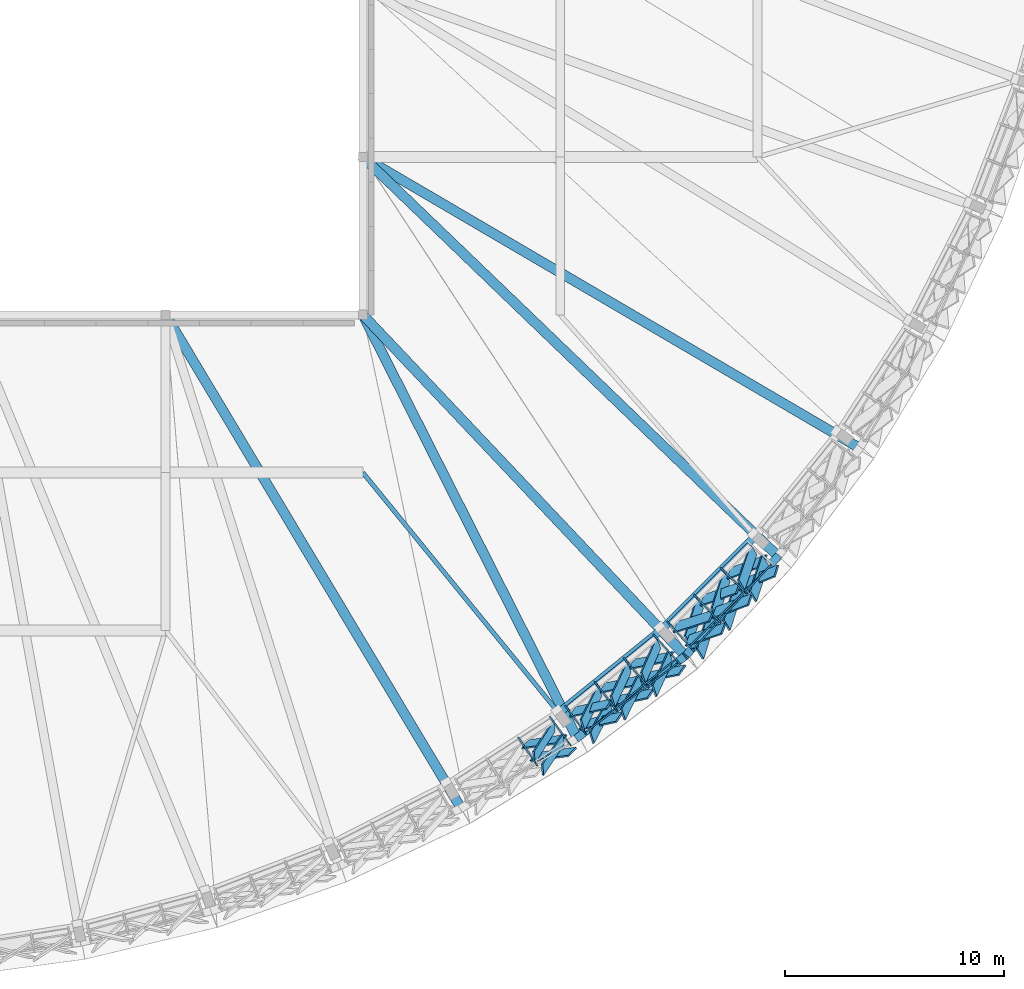
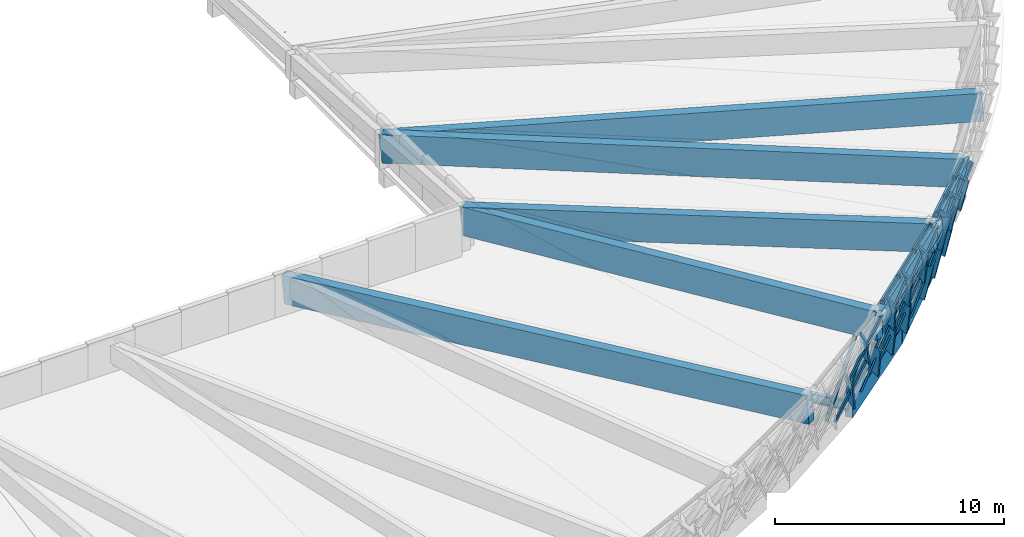
# One storey, part 5 of 11: 45 members, 10 beams, 3 elements without a shape of their own.
"""IFC4 building model written with IfcOpenShell, lengths in metres."""

from ifc_helpers import new_model, si_unit, direction, frame, origin, origin_2d, place, context, subcontext, project, spatial, rectangle, hollow_rectangle, i_section, extrude, material, material_profile, profile_set, type_object, element, aggregate, save


model = new_model("IFC4")

# Units and contexts
model_context = context("Model", 3, precision=1e-05, world=origin(), true_north=direction((0.0, 1.0)))
body_context = subcontext(model_context, "Body", "Model", "MODEL_VIEW")
ifc_project = project(units=[si_unit("LENGTHUNIT", "METRE"), si_unit("AREAUNIT", "SQUARE_METRE"), si_unit("VOLUMEUNIT", "CUBIC_METRE"), si_unit("PLANEANGLEUNIT", "RADIAN"), si_unit("MASSUNIT", "GRAM", prefix="KILO")], contexts=[model_context])

# Site, building, storey
site_placement = place(None, origin())
site = spatial("IfcSite", under=ifc_project, at=site_placement, CompositionType="ELEMENT")
building_placement = place(site_placement, origin())
building = spatial("IfcBuilding", under=site, at=building_placement, Name="Chiffa Square Polytechnic", CompositionType="ELEMENT")
storey_placement = place(building_placement, frame((0.0, 0.0, 30.60009765625)))
storey = spatial("IfcBuildingStorey", under=building, at=storey_placement, Name="ROOF", CompositionType="ELEMENT", Elevation=30.60009765625)

# Beam
ifc_material_1 = material(Name="Steel S355", Category="steel")
ifc_material_profile_1 = material_profile(ifc_material_1, i_section(OverallWidth=0.199951171875, OverallDepth=0.5, WebThickness=0.01025390625, FlangeThickness=0.01611328125, FilletRadius=0.02099609375, at=origin_2d()), Name="IPE 500")
ifc_profile_set_1 = profile_set([ifc_material_profile_1], Name="Steel S355")
beam_type_1 = type_object("IfcBeamType", Name="BM-STL-IPE500", PredefinedType="BEAM", material=ifc_profile_set_1)
beam_1_placement = place(storey_placement, frame((157.133056640625, 10.64501953125, -1.22998046875), z_axis=(-0.631959701082, 0.775001249165, 0.0), x_axis=(-0.775001249165, -0.631959701082, 0.0)))
element("IfcBeam", 1, at=beam_1_placement, inside=storey, type_object=beam_type_1, Name="Prow attic radial tie girder BM-V1-RAD-ROOF-09", PredefinedType="BEAM", context=body_context, shape_type="SweptSolid", body=[
    extrude(i_section(OverallWidth=0.199951171875, OverallDepth=0.5, WebThickness=0.01025390625, FlangeThickness=0.01611328125, FilletRadius=0.02099609375, at=origin_2d()), origin(), (0.0, 0.0, 1.0), 14.135498046875),
])

# Curtain wall, members
ifc_material_2 = material(Name="Aluminium EN AW-6060 T66 and glulam shading", Category="wood")
curtain_wall_type_1 = type_object("IfcCurtainWallType", Name="CW-PROW-LEAN-300", PredefinedType="USERDEFINED", material=ifc_material_2)
curtain_wall_1_placement = place(storey_placement, origin())
curtain_wall_1 = element("IfcCurtainWall", 2, at=curtain_wall_1_placement, inside=storey, type_object=curtain_wall_type_1, Name="Outward-leaning diamond-fin prow curtain wall CW-V1-ROOF-117", ObjectType="CURTAIN WALL", PredefinedType="USERDEFINED")
ifc_material_3 = material(Name="Aluminium EN AW-6060 T66", Category="aluminium")
ifc_material_profile_2 = material_profile(ifc_material_3, hollow_rectangle(XDim=0.06494140625, YDim=0.179931640625, WallThickness=0.00390625, at=origin_2d()), Name="ALU 65x180x4")
ifc_profile_set_2 = profile_set([ifc_material_profile_2], Name="Aluminium EN AW-6060 T66")
member_type_1 = type_object("IfcMemberType", Name="CWM-ALU-75X180", PredefinedType="MULLION", material=ifc_profile_set_2)
member_1_placement = place(storey_placement, frame((155.3232421875, 9.469970703125, -0.75), z_axis=(0.152187498853, -0.225447216644, 0.962295442003), x_axis=(0.828830555606, 0.559499696242, 0.0)))
member_1 = element("IfcMember", 3, at=member_1_placement, type_object=member_type_1, Name="Leaning prow mullion CW-V1-ROOF-117-M02", PredefinedType="MULLION", context=body_context, shape_type="SweptSolid", body=[
    extrude(hollow_rectangle(XDim=0.06494140625, YDim=0.179931640625, WallThickness=0.00390625, at=origin_2d()), origin(), (0.0, 0.0, 1.0), 5.168701171875),
])
member_2_placement = place(storey_placement, frame((156.77197265625, 10.410888671875, -0.75), z_axis=(0.160133861467, -0.220274428514, 0.962203888245), x_axis=(0.808850866306, 0.588013840038, 0.0)))
member_2 = element("IfcMember", 4, at=member_2_placement, type_object=member_type_1, Name="Leaning prow mullion CW-V1-ROOF-117-M03", PredefinedType="MULLION", context=body_context, shape_type="SweptSolid", body=[
    extrude(hollow_rectangle(XDim=0.06494140625, YDim=0.179931640625, WallThickness=0.00390625, at=origin_2d()), origin(), (0.0, 0.0, 1.0), 5.403076171875),
])

curtain_wall_type_2 = type_object("IfcCurtainWallType", Name="CW-PROW-LEAN-150", PredefinedType="USERDEFINED", material=ifc_material_2)
curtain_wall_2_placement = place(storey_placement, origin())
curtain_wall_2 = element("IfcCurtainWall", 5, at=curtain_wall_2_placement, inside=storey, type_object=curtain_wall_type_2, Name="Outward-leaning diamond-fin prow curtain wall CW-V1-ROOF-118", ObjectType="CURTAIN WALL", PredefinedType="USERDEFINED")
member_3_placement = place(storey_placement, frame((157.467041015625, 10.916015625, -0.75), z_axis=(0.15995775047, -0.220280800435, 0.962231722105), x_axis=(0.809166525791, 0.587579384882, 0.0)))
member_3 = element("IfcMember", 6, at=member_3_placement, type_object=member_type_1, Name="Leaning prow mullion CW-V1-ROOF-118-M00", PredefinedType="MULLION", context=body_context, shape_type="SweptSolid", body=[
    extrude(hollow_rectangle(XDim=0.06494140625, YDim=0.179931640625, WallThickness=0.00390625, at=origin_2d()), origin(), (0.0, 0.0, 1.0), 5.403076171875),
])
member_4_placement = place(storey_placement, frame((158.809814453125, 12.0029296875, -0.75), z_axis=(0.167363376659, -0.214273545524, 0.962328606995), x_axis=(0.788091871966, 0.615557634459, 0.0)))
member_4 = element("IfcMember", 7, at=member_4_placement, type_object=member_type_1, Name="Leaning prow mullion CW-V1-ROOF-118-M01", PredefinedType="MULLION", context=body_context, shape_type="SweptSolid", body=[
    extrude(hollow_rectangle(XDim=0.06494140625, YDim=0.179931640625, WallThickness=0.00390625, at=origin_2d()), origin(), (0.0, 0.0, 1.0), 5.646728515625),
])
member_5_placement = place(storey_placement, frame((160.15234375, 13.090087890625, -0.75), z_axis=(0.174746004879, -0.20831116114, 0.962325461538), x_axis=(0.766131025313, 0.64268441093, 0.0)))
member_5 = element("IfcMember", 8, at=member_5_placement, type_object=member_type_1, Name="Leaning prow mullion CW-V1-ROOF-118-M02", PredefinedType="MULLION", context=body_context, shape_type="SweptSolid", body=[
    extrude(hollow_rectangle(XDim=0.06494140625, YDim=0.179931640625, WallThickness=0.00390625, at=origin_2d()), origin(), (0.0, 0.0, 1.0), 5.8916015625),
])
member_6_placement = place(storey_placement, frame((161.4951171875, 14.177001953125, -0.75), z_axis=(0.182136533588, -0.202267832407, 0.962244255429), x_axis=(0.743119688078, 0.669158523214, 0.0)))
member_6 = element("IfcMember", 9, at=member_6_placement, type_object=member_type_1, Name="Leaning prow mullion CW-V1-ROOF-118-M03", PredefinedType="MULLION", context=body_context, shape_type="SweptSolid", body=[
    extrude(hollow_rectangle(XDim=0.06494140625, YDim=0.179931640625, WallThickness=0.00390625, at=origin_2d()), origin(), (0.0, 0.0, 1.0), 6.136474609375),
])

curtain_wall_3_placement = place(storey_placement, origin())
curtain_wall_3 = element("IfcCurtainWall", 10, at=curtain_wall_3_placement, inside=storey, type_object=curtain_wall_type_1, Name="Outward-leaning diamond-fin prow curtain wall CW-V1-ROOF-119", ObjectType="CURTAIN WALL", PredefinedType="USERDEFINED")
member_7_placement = place(storey_placement, frame((162.133056640625, 14.751953125, -0.75), z_axis=(0.182174998523, -0.202266366563, 0.962237282), x_axis=(0.743047006438, 0.669239229441, 0.0)))
member_7 = element("IfcMember", 11, at=member_7_placement, type_object=member_type_1, Name="Leaning prow mullion CW-V1-ROOF-119-M00", PredefinedType="MULLION", context=body_context, shape_type="SweptSolid", body=[
    extrude(hollow_rectangle(XDim=0.06494140625, YDim=0.179931640625, WallThickness=0.00390625, at=origin_2d()), origin(), (0.0, 0.0, 1.0), 6.136474609375),
])
member_8_placement = place(storey_placement, frame((163.354736328125, 15.9736328125, -0.75), z_axis=(0.188882981103, -0.195588639307, 0.962324427427), x_axis=(0.719330193088, 0.694668318921, 0.0)))
member_8 = element("IfcMember", 12, at=member_8_placement, type_object=member_type_1, Name="Leaning prow mullion CW-V1-ROOF-119-M01", PredefinedType="MULLION", context=body_context, shape_type="SweptSolid", body=[
    extrude(hollow_rectangle(XDim=0.06494140625, YDim=0.179931640625, WallThickness=0.00390625, at=origin_2d()), origin(), (0.0, 0.0, 1.0), 5.86181640625),
])
member_9_placement = place(storey_placement, frame((164.576416015625, 17.1953125, -0.75), z_axis=(0.195576125123, -0.18889088224, 0.962325419953), x_axis=(0.694706352545, 0.719293461484, 0.0)))
member_9 = element("IfcMember", 13, at=member_9_placement, type_object=member_type_1, Name="Leaning prow mullion CW-V1-ROOF-119-M02", PredefinedType="MULLION", context=body_context, shape_type="SweptSolid", body=[
    extrude(hollow_rectangle(XDim=0.06494140625, YDim=0.179931640625, WallThickness=0.00390625, at=origin_2d()), origin(), (0.0, 0.0, 1.0), 5.58740234375),
])

# Member
ifc_material_4 = material(Name="Glulam GL28h", Category="wood")
ifc_material_profile_3 = material_profile(ifc_material_4, rectangle(XDim=0.080078125, YDim=0.580078125, at=origin_2d()), Name="GL28h 80x580")
ifc_profile_set_3 = profile_set([ifc_material_profile_3], Name="Glulam GL28h")
member_type_2 = type_object("IfcMemberType", Name="CWM-GL-80X580", PredefinedType="MULLION", material=ifc_profile_set_3)
member_10_placement = place(storey_placement, frame((155.614013671875, 9.197998046875, -0.710205078125), z_axis=(0.555255434836, 0.08167383249, 0.827659825757), x_axis=(-0.568025816265, 0.764142564889, 0.305667814108)))
member_10 = element("IfcMember", 14, at=member_10_placement, type_object=member_type_2, Name="Diamond glulam fin CW-V1-ROOF-117-DF05A", PredefinedType="MULLION", context=body_context, shape_type="SweptSolid", body=[
    extrude(rectangle(XDim=0.080078125, YDim=0.580078125, at=origin_2d()), origin(), (0.0, 0.0, 1.0), 3.0849609375),
])

member_11_placement = place(storey_placement, frame((156.903076171875, 10.035888671875, -0.710205078125), z_axis=(-0.303070186337, -0.47536069639, 0.825942292465), x_axis=(0.949001880075, -0.071555226577, 0.307042800213)))
member_11 = element("IfcMember", 15, at=member_11_placement, type_object=member_type_2, Name="Diamond glulam fin CW-V1-ROOF-117-DF05B", PredefinedType="MULLION", context=body_context, shape_type="SweptSolid", body=[
    extrude(rectangle(XDim=0.080078125, YDim=0.580078125, at=origin_2d()), origin(), (0.0, 0.0, 1.0), 2.969970703125),
])

member_12_placement = place(storey_placement, frame((156.0029296875, 8.6240234375, 1.742919921875), z_axis=(0.548472387015, 0.075606458936, 0.83274348034), x_axis=(-0.563822859149, 0.768878933422, 0.30154430726)))
member_12 = element("IfcMember", 16, at=member_12_placement, type_object=member_type_2, Name="Diamond glulam fin CW-V1-ROOF-117-DF06A", PredefinedType="MULLION", context=body_context, shape_type="SweptSolid", body=[
    extrude(rectangle(XDim=0.080078125, YDim=0.580078125, at=origin_2d()), origin(), (0.0, 0.0, 1.0), 3.18701171875),
])

member_13_placement = place(storey_placement, frame((157.326904296875, 9.449951171875, 1.843017578125), z_axis=(-0.323134713434, -0.483900351744, 0.813280029606), x_axis=(0.943443094571, -0.097380083884, 0.316910470906)))
member_13 = element("IfcMember", 17, at=member_13_placement, type_object=member_type_2, Name="Diamond glulam fin CW-V1-ROOF-117-DF06B", PredefinedType="MULLION", context=body_context, shape_type="SweptSolid", body=[
    extrude(rectangle(XDim=0.080078125, YDim=0.580078125, at=origin_2d()), origin(), (0.0, 0.0, 1.0), 2.89306640625),
])

aggregate(curtain_wall_1, [member_1, member_2, member_10, member_11, member_12, member_13])

member_14_placement = place(storey_placement, frame((157.782958984375, 10.675048828125, -0.710205078125), z_axis=(0.523933731153, 0.117509198863, 0.843614268219), x_axis=(-0.688109415649, 0.642121464327, 0.337913387049)))
member_14 = element("IfcMember", 18, at=member_14_placement, type_object=member_type_2, Name="Diamond glulam fin CW-V1-ROOF-118-DF01A", PredefinedType="MULLION", context=body_context, shape_type="SweptSolid", body=[
    extrude(rectangle(XDim=0.080078125, YDim=0.580078125, at=origin_2d()), origin(), (0.0, 0.0, 1.0), 3.166259765625),
])

member_15_placement = place(storey_placement, frame((158.97900390625, 11.64306640625, -0.710205078125), z_axis=(-0.24802299603, -0.501801134689, 0.828661700976), x_axis=(0.927763084008, 0.123155147895, 0.352261933083)))
member_15 = element("IfcMember", 19, at=member_15_placement, type_object=member_type_2, Name="Diamond glulam fin CW-V1-ROOF-118-DF01B", PredefinedType="MULLION", context=body_context, shape_type="SweptSolid", body=[
    extrude(rectangle(XDim=0.080078125, YDim=0.580078125, at=origin_2d()), origin(), (0.0, 0.0, 1.0), 3.0966796875),
])

member_16_placement = place(storey_placement, frame((158.2109375, 10.089111328125, 1.85595703125), z_axis=(0.517859076913, 0.110900502708, 0.848247048305), x_axis=(-0.684721431071, 0.648132168042, 0.33328854553)))
member_16 = element("IfcMember", 20, at=member_16_placement, type_object=member_type_2, Name="Diamond glulam fin CW-V1-ROOF-118-DF02A", PredefinedType="MULLION", context=body_context, shape_type="SweptSolid", body=[
    extrude(rectangle(XDim=0.080078125, YDim=0.580078125, at=origin_2d()), origin(), (0.0, 0.0, 1.0), 3.271240234375),
])

member_17_placement = place(storey_placement, frame((159.44189453125, 11.047119140625, 1.9609375), z_axis=(-0.266352759841, -0.512540777451, 0.816307637337), x_axis=(0.926477449366, 0.097481459115, 0.363506397391)))
member_17 = element("IfcMember", 21, at=member_17_placement, type_object=member_type_2, Name="Diamond glulam fin CW-V1-ROOF-118-DF02B", PredefinedType="MULLION", context=body_context, shape_type="SweptSolid", body=[
    extrude(rectangle(XDim=0.080078125, YDim=0.580078125, at=origin_2d()), origin(), (0.0, 0.0, 1.0), 3.0146484375),
])

member_18_placement = place(storey_placement, frame((159.1259765625, 11.761962890625, -0.710205078125), z_axis=(0.517597770231, 0.110770528981, 0.848423501656), x_axis=(-0.684741392709, 0.648202545118, 0.333110620686)))
member_18 = element("IfcMember", 22, at=member_18_placement, type_object=member_type_2, Name="Diamond glulam fin CW-V1-ROOF-118-DF03A", PredefinedType="MULLION", context=body_context, shape_type="SweptSolid", body=[
    extrude(rectangle(XDim=0.080078125, YDim=0.580078125, at=origin_2d()), origin(), (0.0, 0.0, 1.0), 3.2861328125),
])

member_19_placement = place(storey_placement, frame((160.322021484375, 12.72998046875, -0.710205078125), z_axis=(-0.228174585804, -0.490169817794, 0.841231185892), x_axis=(0.927968692453, 0.151981846701, 0.340258172718)))
member_19 = element("IfcMember", 23, at=member_19_placement, type_object=member_type_2, Name="Diamond glulam fin CW-V1-ROOF-118-DF03B", PredefinedType="MULLION", context=body_context, shape_type="SweptSolid", body=[
    extrude(rectangle(XDim=0.080078125, YDim=0.580078125, at=origin_2d()), origin(), (0.0, 0.0, 1.0), 3.190673828125),
])

member_20_placement = place(storey_placement, frame((159.593994140625, 11.166015625, 1.973876953125), z_axis=(0.512149291431, 0.104602482054, 0.852503034619), x_axis=(-0.681161394127, 0.654067744451, 0.328959786022)))
member_20 = element("IfcMember", 24, at=member_20_placement, type_object=member_type_2, Name="Diamond glulam fin CW-V1-ROOF-118-DF04A", PredefinedType="MULLION", context=body_context, shape_type="SweptSolid", body=[
    extrude(rectangle(XDim=0.080078125, YDim=0.580078125, at=origin_2d()), origin(), (0.0, 0.0, 1.0), 3.3935546875),
])

member_21_placement = place(storey_placement, frame((160.826904296875, 12.1259765625, 2.077880859375), z_axis=(-0.246091036858, -0.500900907132, 0.829781587415), x_axis=(0.927777035504, 0.126003424895, 0.35121632836)))
member_21 = element("IfcMember", 25, at=member_21_placement, type_object=member_type_2, Name="Diamond glulam fin CW-V1-ROOF-118-DF04B", PredefinedType="MULLION", context=body_context, shape_type="SweptSolid", body=[
    extrude(rectangle(XDim=0.080078125, YDim=0.580078125, at=origin_2d()), origin(), (0.0, 0.0, 1.0), 3.108154296875),
])

member_22_placement = place(storey_placement, frame((160.468994140625, 12.85009765625, -0.710205078125), z_axis=(0.512008798814, 0.104436042064, 0.852607824885), x_axis=(-0.68105706151, 0.654230466219, 0.328852210025)))
member_22 = element("IfcMember", 26, at=member_22_placement, type_object=member_type_2, Name="Diamond glulam fin CW-V1-ROOF-118-DF05A", PredefinedType="MULLION", context=body_context, shape_type="SweptSolid", body=[
    extrude(rectangle(XDim=0.080078125, YDim=0.580078125, at=origin_2d()), origin(), (0.0, 0.0, 1.0), 3.408447265625),
])

member_23_placement = place(storey_placement, frame((161.6650390625, 13.81689453125, -0.710205078125), z_axis=(-0.208843688433, -0.47885405145, 0.852691685905), x_axis=(0.926866369447, 0.181194908024, 0.328766084768)))
member_23 = element("IfcMember", 27, at=member_23_placement, type_object=member_type_2, Name="Diamond glulam fin CW-V1-ROOF-118-DF05B", PredefinedType="MULLION", context=body_context, shape_type="SweptSolid", body=[
    extrude(rectangle(XDim=0.080078125, YDim=0.580078125, at=origin_2d()), origin(), (0.0, 0.0, 1.0), 3.284912109375),
])

member_24_placement = place(storey_placement, frame((160.97900390625, 12.243896484375, 2.0908203125), z_axis=(0.506990146968, 0.099551399528, 0.856183689245), x_axis=(-0.678456716642, 0.658766042272, 0.325151941702)))
member_24 = element("IfcMember", 28, at=member_24_placement, type_object=member_type_2, Name="Diamond glulam fin CW-V1-ROOF-118-DF06A", PredefinedType="MULLION", context=body_context, shape_type="SweptSolid", body=[
    extrude(rectangle(XDim=0.080078125, YDim=0.580078125, at=origin_2d()), origin(), (0.0, 0.0, 1.0), 3.516845703125),
])

member_25_placement = place(storey_placement, frame((162.214111328125, 13.2060546875, 2.19580078125), z_axis=(-0.226420447533, -0.489357862866, 0.842177334645), x_axis=(0.927864580066, 0.15466899565, 0.339329961607)))
member_25 = element("IfcMember", 29, at=member_25_placement, type_object=member_type_2, Name="Diamond glulam fin CW-V1-ROOF-118-DF06B", PredefinedType="MULLION", context=body_context, shape_type="SweptSolid", body=[
    extrude(rectangle(XDim=0.080078125, YDim=0.580078125, at=origin_2d()), origin(), (0.0, 0.0, 1.0), 3.202392578125),
])

member_26_placement = place(storey_placement, frame((162.472900390625, 14.5458984375, -0.710205078125), z_axis=(0.499214188597, 0.158871391261, 0.851789337185), x_axis=(-0.788377554049, 0.491155138162, 0.370442252624)))
member_26 = element("IfcMember", 30, at=member_26_placement, type_object=member_type_2, Name="Diamond glulam fin CW-V1-ROOF-119-DF01A", PredefinedType="MULLION", context=body_context, shape_type="SweptSolid", body=[
    extrude(rectangle(XDim=0.080078125, YDim=0.580078125, at=origin_2d()), origin(), (0.0, 0.0, 1.0), 3.273193359375),
])

member_27_placement = place(storey_placement, frame((163.56005859375, 15.633056640625, -0.710205078125), z_axis=(-0.157369824123, -0.49812279029, 0.852706528795), x_axis=(0.85589816296, 0.36192892502, 0.369385689862)))
member_27 = element("IfcMember", 31, at=member_27_placement, type_object=member_type_2, Name="Diamond glulam fin CW-V1-ROOF-119-DF01B", PredefinedType="MULLION", context=body_context, shape_type="SweptSolid", body=[
    extrude(rectangle(XDim=0.080078125, YDim=0.580078125, at=origin_2d()), origin(), (0.0, 0.0, 1.0), 3.40673828125),
])

member_28_placement = place(storey_placement, frame((163.02392578125, 13.93603515625, 2.19482421875), z_axis=(0.512631552525, 0.176843673597, 0.840199503966), x_axis=(-0.792227879353, 0.474702633665, 0.383448036594)))
member_28 = element("IfcMember", 32, at=member_28_placement, type_object=member_type_2, Name="Diamond glulam fin CW-V1-ROOF-119-DF02A", PredefinedType="MULLION", context=body_context, shape_type="SweptSolid", body=[
    extrude(rectangle(XDim=0.080078125, YDim=0.580078125, at=origin_2d()), origin(), (0.0, 0.0, 1.0), 3.177978515625),
])

member_29_placement = place(storey_placement, frame((164.10693359375, 15.06591796875, 2.077880859375), z_axis=(-0.150832854296, -0.493062148303, 0.856819215456), x_axis=(0.853407925105, 0.372511070111, 0.364596236969)))
member_29 = element("IfcMember", 33, at=member_29_placement, type_object=member_type_2, Name="Diamond glulam fin CW-V1-ROOF-119-DF02B", PredefinedType="MULLION", context=body_context, shape_type="SweptSolid", body=[
    extrude(rectangle(XDim=0.080078125, YDim=0.580078125, at=origin_2d()), origin(), (0.0, 0.0, 1.0), 3.52685546875),
])

member_30_placement = place(storey_placement, frame((163.695068359375, 15.76806640625, -0.710205078125), z_axis=(0.513734088437, 0.178495597694, 0.839176148363), x_axis=(-0.792591615039, 0.473187949721, 0.384566894063)))
member_30 = element("IfcMember", 34, at=member_30_placement, type_object=member_type_2, Name="Diamond glulam fin CW-V1-ROOF-119-DF03A", PredefinedType="MULLION", context=body_context, shape_type="SweptSolid", body=[
    extrude(rectangle(XDim=0.080078125, YDim=0.580078125, at=origin_2d()), origin(), (0.0, 0.0, 1.0), 3.1650390625),
])

member_31_placement = place(storey_placement, frame((164.781982421875, 16.85498046875, -0.710205078125), z_axis=(-0.165641274087, -0.504235914539, 0.847531185743), x_axis=(0.858823195362, 0.348679329057, 0.375293811028)))
member_31 = element("IfcMember", 35, at=member_31_placement, type_object=member_type_2, Name="Diamond glulam fin CW-V1-ROOF-119-DF03B", PredefinedType="MULLION", context=body_context, shape_type="SweptSolid", body=[
    extrude(rectangle(XDim=0.080078125, YDim=0.580078125, at=origin_2d()), origin(), (0.0, 0.0, 1.0), 3.27197265625),
])

member_32_placement = place(storey_placement, frame((164.239990234375, 15.205078125, 2.06298828125), z_axis=(0.527371327313, 0.197247684507, 0.826421704751), x_axis=(-0.795050162457, 0.457582403747, 0.398137643231)))
member_32 = element("IfcMember", 36, at=member_32_placement, type_object=member_type_2, Name="Diamond glulam fin CW-V1-ROOF-119-DF04A", PredefinedType="MULLION", context=body_context, shape_type="SweptSolid", body=[
    extrude(rectangle(XDim=0.080078125, YDim=0.580078125, at=origin_2d()), origin(), (0.0, 0.0, 1.0), 3.072021484375),
])

member_33_placement = place(storey_placement, frame((165.321044921875, 16.3330078125, 1.94580078125), z_axis=(-0.157780627023, -0.49853495564, 0.852389683033), x_axis=(0.856015635802, 0.361277341017, 0.369751151627)))
member_33 = element("IfcMember", 37, at=member_33_placement, type_object=member_type_2, Name="Diamond glulam fin CW-V1-ROOF-119-DF04B", PredefinedType="MULLION", context=body_context, shape_type="SweptSolid", body=[
    extrude(rectangle(XDim=0.080078125, YDim=0.580078125, at=origin_2d()), origin(), (0.0, 0.0, 1.0), 3.391845703125),
])

member_34_placement = place(storey_placement, frame((164.9169921875, 16.989990234375, -0.710205078125), z_axis=(0.528641721988, 0.198749492337, 0.825249398103), x_axis=(-0.795052186184, 0.456519775891, 0.399351618834)))
member_34 = element("IfcMember", 38, at=member_34_placement, type_object=member_type_2, Name="Diamond glulam fin CW-V1-ROOF-119-DF05A", PredefinedType="MULLION", context=body_context, shape_type="SweptSolid", body=[
    extrude(rectangle(XDim=0.080078125, YDim=0.580078125, at=origin_2d()), origin(), (0.0, 0.0, 1.0), 3.05859375),
])

member_35_placement = place(storey_placement, frame((166.00390625, 18.076904296875, -0.710205078125), z_axis=(-0.174847627391, -0.511320419247, 0.841415317222), x_axis=(0.861578081515, 0.33417521973, 0.382112721552)))
member_35 = element("IfcMember", 39, at=member_35_placement, type_object=member_type_2, Name="Diamond glulam fin CW-V1-ROOF-119-DF05B", PredefinedType="MULLION", context=body_context, shape_type="SweptSolid", body=[
    extrude(rectangle(XDim=0.080078125, YDim=0.580078125, at=origin_2d()), origin(), (0.0, 0.0, 1.0), 3.138916015625),
])

member_36_placement = place(storey_placement, frame((165.455078125, 16.471923828125, 1.930908203125), z_axis=(0.542054304802, 0.218517184824, 0.811435376714), x_axis=(-0.796537809225, 0.441294916996, 0.413263009122)))
member_36 = element("IfcMember", 40, at=member_36_placement, type_object=member_type_2, Name="Diamond glulam fin CW-V1-ROOF-119-DF06A", PredefinedType="MULLION", context=body_context, shape_type="SweptSolid", body=[
    extrude(rectangle(XDim=0.080078125, YDim=0.580078125, at=origin_2d()), origin(), (0.0, 0.0, 1.0), 2.96630859375),
])

member_37_placement = place(storey_placement, frame((166.533935546875, 17.597900390625, 1.81396484375), z_axis=(-0.166475527295, -0.504600821247, 0.847150464799), x_axis=(0.859183519465, 0.347326409713, 0.375723362324)))
member_37 = element("IfcMember", 41, at=member_37_placement, type_object=member_type_2, Name="Diamond glulam fin CW-V1-ROOF-119-DF06B", PredefinedType="MULLION", context=body_context, shape_type="SweptSolid", body=[
    extrude(rectangle(XDim=0.080078125, YDim=0.580078125, at=origin_2d()), origin(), (0.0, 0.0, 1.0), 3.255615234375),
])

ifc_material_profile_4 = material_profile(ifc_material_3, hollow_rectangle(XDim=0.06494140625, YDim=0.139892578125, WallThickness=0.00390625, at=origin_2d()), Name="ALU 65x140x4")
ifc_profile_set_4 = profile_set([ifc_material_profile_4], Name="Aluminium EN AW-6060 T66")
member_type_3 = type_object("IfcMemberType", Name="CWT-ALU-75X140", PredefinedType="USERDEFINED", material=ifc_profile_set_4)
member_38_placement = place(storey_placement, frame((157.4736328125, 10.90673828125, -0.710205078125), z_axis=(0.777211967524, 0.629238871604, 0.0), x_axis=(-0.629238871604, 0.777211967524, 0.0)))
member_38 = element("IfcMember", 42, at=member_38_placement, type_object=member_type_3, Name="Leaning prow transom CW-V1-ROOF-118-T01", ObjectType="TRANSOM", PredefinedType="USERDEFINED", context=body_context, shape_type="SweptSolid", body=[
    extrude(hollow_rectangle(XDim=0.06494140625, YDim=0.139892578125, WallThickness=0.00390625, at=origin_2d()), origin(), (0.0, 0.0, 1.0), 5.18408203125),
])

member_39_placement = place(storey_placement, frame((157.6083984375, 10.721435546875, 0.099853515625), z_axis=(0.777224127474, 0.629223851798, 0.0), x_axis=(-0.629223851798, 0.777224127474, 0.0)))
member_39 = element("IfcMember", 43, at=member_39_placement, type_object=member_type_3, Name="Leaning prow transom CW-V1-ROOF-118-T02", ObjectType="TRANSOM", PredefinedType="USERDEFINED", context=body_context, shape_type="SweptSolid", body=[
    extrude(hollow_rectangle(XDim=0.06494140625, YDim=0.139892578125, WallThickness=0.00390625, at=origin_2d()), origin(), (0.0, 0.0, 1.0), 5.207763671875),
])

member_40_placement = place(storey_placement, frame((158.32470703125, 9.735107421875, 4.408935546875), z_axis=(0.777212903123, 0.629237715986, 0.0), x_axis=(-0.629237715986, 0.777212903123, 0.0)))
member_40 = element("IfcMember", 44, at=member_40_placement, type_object=member_type_3, Name="Leaning prow transom CW-V1-ROOF-118-T03", ObjectType="TRANSOM", PredefinedType="USERDEFINED", context=body_context, shape_type="SweptSolid", body=[
    extrude(hollow_rectangle(XDim=0.06494140625, YDim=0.139892578125, WallThickness=0.00390625, at=origin_2d()), origin(), (0.0, 0.0, 1.0), 5.335693359375),
])

member_41_placement = place(storey_placement, frame((158.38525390625, 9.78759765625, 4.39892578125), z_axis=(0.793490547247, 0.593463057044, 0.134812281908), x_axis=(-0.598930600808, 0.800800933701, 0.0)))
member_41 = element("IfcMember", 45, at=member_41_placement, type_object=member_type_3, Name="Swept prow eave transom CW-V1-ROOF-118-TSLP", ObjectType="TRANSOM", PredefinedType="USERDEFINED", context=body_context, shape_type="SweptSolid", body=[
    extrude(hollow_rectangle(XDim=0.06494140625, YDim=0.139892578125, WallThickness=0.00390625, at=origin_2d()), origin(), (0.0, 0.0, 1.0), 5.2373046875),
])

aggregate(curtain_wall_2, [member_3, member_4, member_5, member_6, member_38, member_39, member_40, member_41, member_14, member_15, member_16, member_17, member_18, member_19, member_20, member_21, member_22, member_23, member_24, member_25])

member_42_placement = place(storey_placement, frame((162.140625, 14.74365234375, -0.710205078125), z_axis=(0.707106781187, 0.707106781187, 0.0), x_axis=(-0.707106781187, 0.707106781187, 0.0)))
member_42 = element("IfcMember", 46, at=member_42_placement, type_object=member_type_3, Name="Leaning prow transom CW-V1-ROOF-119-T01", ObjectType="TRANSOM", PredefinedType="USERDEFINED", context=body_context, shape_type="SweptSolid", body=[
    extrude(hollow_rectangle(XDim=0.06494140625, YDim=0.139892578125, WallThickness=0.00390625, at=origin_2d()), origin(), (0.0, 0.0, 1.0), 5.18408203125),
])

member_43_placement = place(storey_placement, frame((162.2939453125, 14.5732421875, 0.099853515625), z_axis=(0.707106781187, 0.707106781187, 0.0), x_axis=(-0.707106781187, 0.707106781187, 0.0)))
member_43 = element("IfcMember", 47, at=member_43_placement, type_object=member_type_3, Name="Leaning prow transom CW-V1-ROOF-119-T02", ObjectType="TRANSOM", PredefinedType="USERDEFINED", context=body_context, shape_type="SweptSolid", body=[
    extrude(hollow_rectangle(XDim=0.06494140625, YDim=0.139892578125, WallThickness=0.00390625, at=origin_2d()), origin(), (0.0, 0.0, 1.0), 5.208251953125),
])

member_44_placement = place(storey_placement, frame((163.093505859375, 13.685546875, 4.322998046875), z_axis=(0.707106781187, 0.707106781187, 0.0), x_axis=(-0.707106781187, 0.707106781187, 0.0)))
member_44 = element("IfcMember", 48, at=member_44_placement, type_object=member_type_3, Name="Leaning prow transom CW-V1-ROOF-119-T03", ObjectType="TRANSOM", PredefinedType="USERDEFINED", context=body_context, shape_type="SweptSolid", body=[
    extrude(hollow_rectangle(XDim=0.06494140625, YDim=0.139892578125, WallThickness=0.00390625, at=origin_2d()), origin(), (0.0, 0.0, 1.0), 5.3330078125),
])

member_45_placement = place(storey_placement, frame((163.29833984375, 13.578125, 5.10498046875), z_axis=(0.668219486511, 0.728501573002, -0.150891272048), x_axis=(-0.736939258575, 0.675958970035, 0.0)))
member_45 = element("IfcMember", 49, at=member_45_placement, type_object=member_type_3, Name="Swept prow eave transom CW-V1-ROOF-119-TSLP", ObjectType="TRANSOM", PredefinedType="USERDEFINED", context=body_context, shape_type="SweptSolid", body=[
    extrude(hollow_rectangle(XDim=0.06494140625, YDim=0.139892578125, WallThickness=0.00390625, at=origin_2d()), origin(), (0.0, 0.0, 1.0), 5.248779296875),
])

aggregate(curtain_wall_3, [member_7, member_8, member_9, member_42, member_43, member_44, member_45, member_26, member_27, member_28, member_29, member_30, member_31, member_32, member_33, member_34, member_35, member_36, member_37])

# Beams
ifc_material_5 = material(Name="Glulam GL32c", Category="wood")
ifc_material_profile_5 = material_profile(ifc_material_5, rectangle(XDim=0.360107421875, YDim=0.89990234375, at=origin_2d()), Name="GL32c 360x900")
ifc_profile_set_5 = profile_set([ifc_material_profile_5], Name="Glulam GL32c")
beam_type_2 = type_object("IfcBeamType", Name="RB-GL-360X900", PredefinedType="SPANDREL", material=ifc_profile_set_5)
beam_2_placement = place(storey_placement, frame((157.968017578125, 9.49609375, 3.808837890625), z_axis=(0.791862538387, 0.600142277303, 0.113061785288), x_axis=(-0.604015247703, 0.796972760226, 0.0)))
element("IfcBeam", 50, at=beam_2_placement, inside=storey, type_object=beam_type_2, Name="Swept prow eave glulam girder RB-V1-PROW-ROOF-09", PredefinedType="SPANDREL", context=body_context, shape_type="SweptSolid", body=[
    extrude(rectangle(XDim=0.360107421875, YDim=0.89990234375, at=origin_2d()), origin(), (0.0, 0.0, 1.0), 6.244873046875),
])
beam_3_placement = place(storey_placement, frame((162.9130859375, 13.243896484375, 4.514892578125), z_axis=(0.675671580855, 0.726250358005, -0.126603050211), x_axis=(-0.732141564064, 0.681152501405, 0.0)))
element("IfcBeam", 51, at=beam_3_placement, inside=storey, type_object=beam_type_2, Name="Swept prow eave glulam girder RB-V1-PROW-ROOF-10", PredefinedType="SPANDREL", context=body_context, shape_type="SweptSolid", body=[
    extrude(rectangle(XDim=0.360107421875, YDim=0.89990234375, at=origin_2d()), origin(), (0.0, 0.0, 1.0), 6.255615234375),
])
beam_4_placement = place(storey_placement, frame((157.133056640625, 10.64501953125, -1.43017578125), z_axis=(0.777130072172, 0.629340012177, 0.0), x_axis=(-0.629340012177, 0.777130072172, 0.0)))
element("IfcBeam", 52, at=beam_4_placement, inside=storey, type_object=beam_type_2, Name="Prow attic perimeter beam RB-V1-ATTIC-09", PredefinedType="SPANDREL", context=body_context, shape_type="SweptSolid", body=[
    extrude(rectangle(XDim=0.360107421875, YDim=0.89990234375, at=origin_2d()), origin(), (0.0, 0.0, 1.0), 6.042724609375),
])
beam_5_placement = place(storey_placement, frame((161.8291015625, 14.447998046875, -1.43017578125), z_axis=(0.707106781187, 0.707106781187, 0.0), x_axis=(-0.707106781187, 0.707106781187, 0.0)))
element("IfcBeam", 53, at=beam_5_placement, inside=storey, type_object=beam_type_2, Name="Prow attic perimeter beam RB-V1-ATTIC-10", PredefinedType="SPANDREL", context=body_context, shape_type="SweptSolid", body=[
    extrude(rectangle(XDim=0.360107421875, YDim=0.89990234375, at=origin_2d()), origin(), (0.0, 0.0, 1.0), 6.04296875),
])
ifc_material_profile_6 = material_profile(ifc_material_5, rectangle(XDim=0.449951171875, YDim=1.5, at=origin_2d()), Name="GL32c 450x1500")
ifc_profile_set_6 = profile_set([ifc_material_profile_6], Name="Glulam GL32c")
beam_type_3 = type_object("IfcBeamType", Name="RB-GL-450X1500", PredefinedType="SPANDREL", material=ifc_profile_set_6)
beam_6_placement = place(storey_placement, frame((139.199951171875, 28.800048828125, 0.329833984375), z_axis=(0.511442124639, -0.854049250802, 0.095009632927), x_axis=(0.857930224171, 0.513766221596, 0.0)))
element("IfcBeam", 54, at=beam_6_placement, inside=storey, type_object=beam_type_3, Name="Swept prow radial glulam girder RB-V1-SWEPT-08", PredefinedType="SPANDREL", context=body_context, shape_type="SweptSolid", body=[
    extrude(rectangle(XDim=0.449951171875, YDim=1.5, at=origin_2d()), origin(), (0.0, 0.0, 1.0), 26.356689453125),
])
beam_7_placement = place(storey_placement, frame((148.199951171875, 28.800048828125, 0.829833984375), z_axis=(0.448078984801, -0.885507554342, 0.122888545369), x_axis=(0.892270538399, 0.451501147622, 0.0)))
element("IfcBeam", 55, at=beam_7_placement, inside=storey, type_object=beam_type_3, Name="Swept prow radial glulam girder RB-V1-SWEPT-09", PredefinedType="SPANDREL", context=body_context, shape_type="SweptSolid", body=[
    extrude(rectangle(XDim=0.449951171875, YDim=1.5, at=origin_2d()), origin(), (0.0, 0.0, 1.0), 21.7998046875),
])
beam_8_placement = place(storey_placement, frame((148.199951171875, 28.800048828125, 0.829833984375), z_axis=(0.678717926236, -0.717606385529, 0.156150735041), x_axis=(0.726518414562, 0.687146995411, 0.0)))
element("IfcBeam", 56, at=beam_8_placement, inside=storey, type_object=beam_type_3, Name="Swept prow radial glulam girder RB-V1-SWEPT-10", PredefinedType="SPANDREL", context=body_context, shape_type="SweptSolid", body=[
    extrude(rectangle(XDim=0.449951171875, YDim=1.5, at=origin_2d()), origin(), (0.0, 0.0, 1.0), 21.677734375),
])
beam_9_placement = place(storey_placement, frame((148.199951171875, 36.0, 0.329833984375), z_axis=(0.715863763747, -0.688383778591, 0.116905282721), x_axis=(0.693136568434, 0.720806282922, 0.0)))
element("IfcBeam", 57, at=beam_9_placement, inside=storey, type_object=beam_type_3, Name="Swept prow radial glulam girder RB-V1-SWEPT-11", PredefinedType="SPANDREL", context=body_context, shape_type="SweptSolid", body=[
    extrude(rectangle(XDim=0.449951171875, YDim=1.5, at=origin_2d()), origin(), (0.0, 0.0, 1.0), 26.45751953125),
])
beam_10_placement = place(storey_placement, frame((148.199951171875, 36.0, 0.329833984375), z_axis=(0.859403643181, -0.503537726683, 0.088741962422), x_axis=(0.505532228688, 0.862807722356, 0.0)))
element("IfcBeam", 58, at=beam_10_placement, inside=storey, type_object=beam_type_3, Name="Swept prow radial glulam girder RB-V1-SWEPT-12", PredefinedType="SPANDREL", context=body_context, shape_type="SweptSolid", body=[
    extrude(rectangle(XDim=0.449951171875, YDim=1.5, at=origin_2d()), origin(), (0.0, 0.0, 1.0), 26.36962890625),
])

save(model, "model.ifc")
